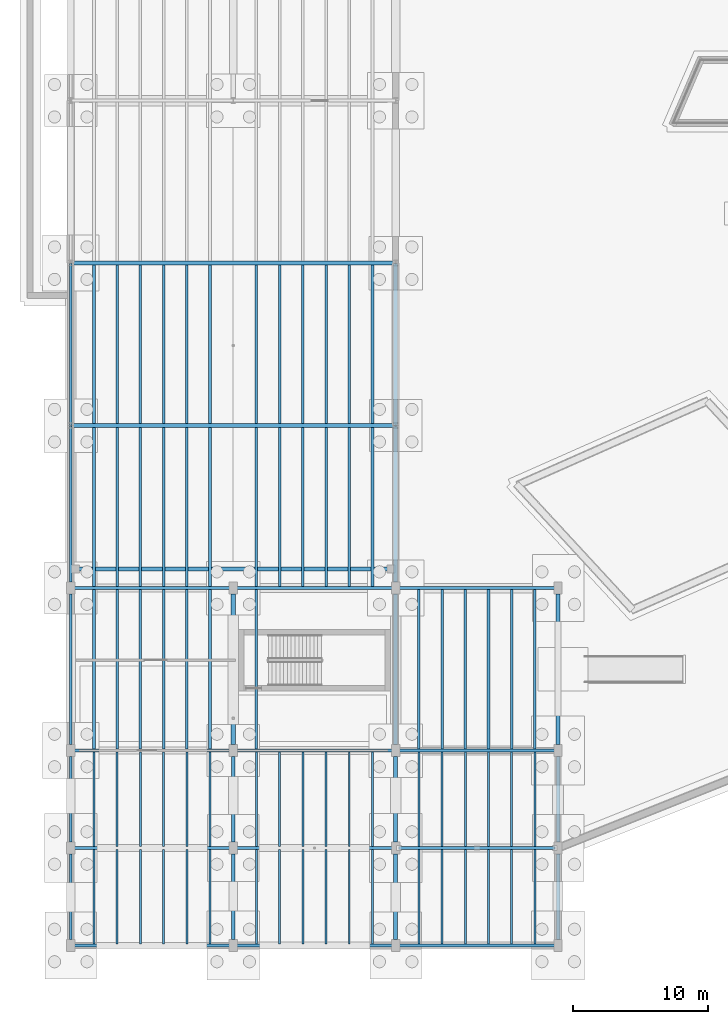
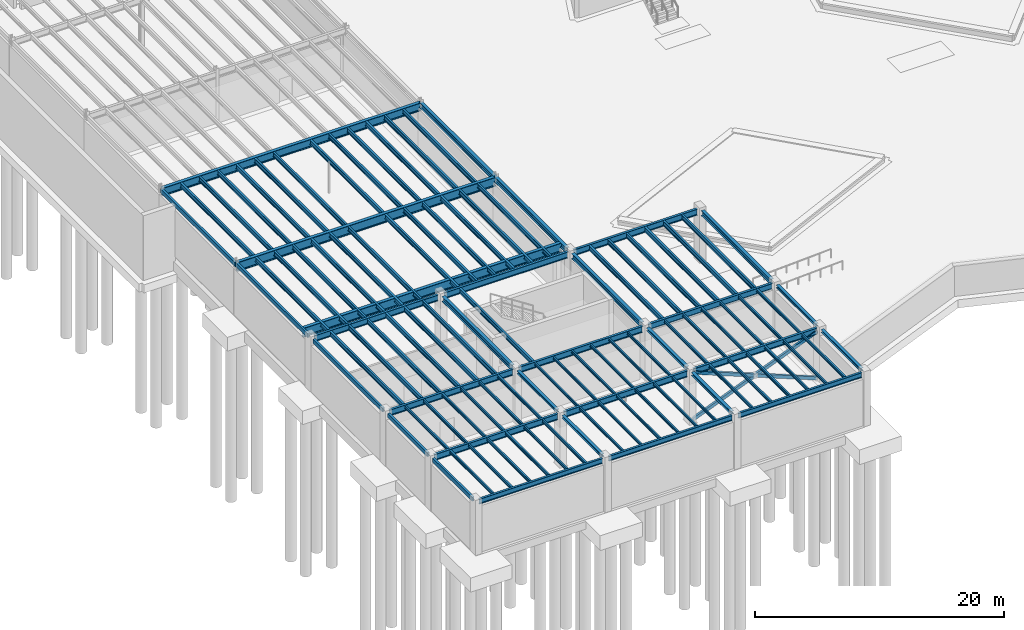
# One storey, part 21 of 67: 104 beams, 3 members.
"""IFC4 building model written with IfcOpenShell, lengths in metres."""

from ifc_helpers import new_model, si_unit, direction, frame, origin, origin_2d, place, context, subcontext, project, spatial, hollow_rectangle, i_section, extrude, material, material_profile, profile_set, type_object, element, save


model = new_model("IFC4")

# Units and contexts
model_context = context("Model", 3, precision=1e-05, world=origin(), true_north=direction((0.0, 1.0)))
body_context = subcontext(model_context, "Body", "Model", "MODEL_VIEW")
ifc_project = project(units=[si_unit("LENGTHUNIT", "METRE"), si_unit("AREAUNIT", "SQUARE_METRE"), si_unit("VOLUMEUNIT", "CUBIC_METRE"), si_unit("PLANEANGLEUNIT", "RADIAN"), si_unit("MASSUNIT", "GRAM", prefix="KILO")], contexts=[model_context])

# Site, building, storey
site_placement = place(None, origin())
site = spatial("IfcSite", under=ifc_project, at=site_placement, CompositionType="ELEMENT")
building_placement = place(site_placement, origin())
building = spatial("IfcBuilding", under=site, at=building_placement, Name="Zlatogorsky Bluff Art Gallery", CompositionType="ELEMENT")
storey_placement = place(building_placement, frame((0.0, 0.0, -5.39990234375)))
storey = spatial("IfcBuildingStorey", under=building, at=storey_placement, Name="B1", CompositionType="ELEMENT", Elevation=-5.39990234375)

# Beams
ifc_material = material(Name="Steel S355", Category="steel")
ifc_material_profile_1 = material_profile(ifc_material, i_section(OverallWidth=0.300048828125, OverallDepth=0.800048828125, WebThickness=0.017578125, FlangeThickness=0.032958984375, FilletRadius=0.030029296875, at=origin_2d()), Name="HEB 800")
ifc_profile_set_1 = profile_set([ifc_material_profile_1], Name="Steel S355")
beam_type_1 = type_object("IfcBeamType", Name="Beam BM-03 HEB 800", PredefinedType="BEAM", material=ifc_profile_set_1)
beam_1_placement = place(storey_placement, frame((0.014892578125, 50.39990234375, 4.719970703125), z_axis=(1.0, 0.0, 0.0), x_axis=(0.0, 1.0, 0.0)))
element("IfcBeam", 1, at=beam_1_placement, inside=storey, type_object=beam_type_1, Name="Auditorium long-span girder BM-03 B1 A-C/6", PredefinedType="BEAM", context=body_context, shape_type="SweptSolid", body=[
    extrude(i_section(OverallWidth=0.300048828125, OverallDepth=0.800048828125, WebThickness=0.017578125, FlangeThickness=0.032958984375, FilletRadius=0.030029296875, at=origin_2d()), origin(), (0.0, 0.0, 1.0), 23.97021484375),
])
ifc_material_profile_2 = material_profile(ifc_material, i_section(OverallWidth=0.300048828125, OverallDepth=0.89990234375, WebThickness=0.0185546875, FlangeThickness=0.034912109375, FilletRadius=0.030029296875, at=origin_2d()), Name="HEB 900")
ifc_profile_set_2 = profile_set([ifc_material_profile_2], Name="Steel S355")
beam_type_2 = type_object("IfcBeamType", Name="Beam BM-04 HEB 900", PredefinedType="BEAM", material=ifc_profile_set_2)
beam_2_placement = place(storey_placement, frame((0.0, 27.800048828125, 4.669921875), z_axis=(1.0, 0.0, 0.0), x_axis=(0.0, 1.0, 0.0)))
element("IfcBeam", 2, at=beam_2_placement, inside=storey, type_object=beam_type_2, Name="Auditorium raker south support girder", PredefinedType="BEAM", context=body_context, shape_type="SweptSolid", body=[
    extrude(i_section(OverallWidth=0.300048828125, OverallDepth=0.89990234375, WebThickness=0.0185546875, FlangeThickness=0.034912109375, FilletRadius=0.030029296875, at=origin_2d()), origin(), (0.0, 0.0, 1.0), 24.0),
])
beam_3_placement = place(storey_placement, frame((0.014892578125, 38.39990234375, 4.669921875), z_axis=(1.0, 0.0, 0.0), x_axis=(0.0, 1.0, 0.0)))
element("IfcBeam", 3, at=beam_3_placement, inside=storey, type_object=beam_type_2, Name="Auditorium long-span girder BM-04 B1 A-C/5", PredefinedType="BEAM", context=body_context, shape_type="SweptSolid", body=[
    extrude(i_section(OverallWidth=0.300048828125, OverallDepth=0.89990234375, WebThickness=0.0185546875, FlangeThickness=0.034912109375, FilletRadius=0.030029296875, at=origin_2d()), origin(), (0.0, 0.0, 1.0), 23.97021484375),
])
ifc_material_profile_3 = material_profile(ifc_material, i_section(OverallWidth=0.300048828125, OverallDepth=0.489990234375, WebThickness=0.011962890625, FlangeThickness=0.02294921875, FilletRadius=0.027099609375, at=origin_2d()), Name="HEA 500")
ifc_profile_set_3 = profile_set([ifc_material_profile_3], Name="Steel S355")
beam_type_3 = type_object("IfcBeamType", Name="Beam BM-07 HEA 500", PredefinedType="BEAM", material=ifc_profile_set_3)
for number, where, z_axis, x_axis, name in (
    (4, (12.0, 14.830078125, 4.875), (0.0, 1.0, 0.0), (-1.0, 0.0, 0.0), "Primary girder BM-07 B1 B/3-4"),
    (5, (24.0, 14.830078125, 4.875), (0.0, 1.0, 0.0), (-1.0, 0.0, 0.0), "Primary girder BM-07 B1 C/3-4"),
):
    element("IfcBeam", number, at=place(storey_placement, frame(where, z_axis=z_axis, x_axis=x_axis)), inside=storey, type_object=beam_type_3, Name=name, PredefinedType="BEAM", context=body_context, shape_type="SweptSolid", body=[
        extrude(i_section(OverallWidth=0.300048828125, OverallDepth=0.489990234375, WebThickness=0.011962890625, FlangeThickness=0.02294921875, FilletRadius=0.027099609375, at=origin_2d()), origin(), (0.0, 0.0, 1.0), 11.139892578125),
    ])
beam_4_placement = place(storey_placement, frame((24.0, 26.830078125, 4.875), z_axis=(0.0, 1.0, 0.0), x_axis=(-1.0, 0.0, 0.0)))
element("IfcBeam", 6, at=beam_4_placement, inside=storey, type_object=beam_type_3, Name="Primary girder BM-07 B1 C/4-5", PredefinedType="BEAM", context=body_context, shape_type="SweptSolid", body=[
    extrude(i_section(OverallWidth=0.300048828125, OverallDepth=0.489990234375, WebThickness=0.011962890625, FlangeThickness=0.02294921875, FilletRadius=0.027099609375, at=origin_2d()), origin(), (0.0, 0.0, 1.0), 11.554931640625),
])
beam_5_placement = place(storey_placement, frame((24.0, 38.4150390625, 4.875), z_axis=(0.0, 1.0, 0.0), x_axis=(-1.0, 0.0, 0.0)))
element("IfcBeam", 7, at=beam_5_placement, inside=storey, type_object=beam_type_3, Name="Primary girder BM-07 B1 C/5-6", PredefinedType="BEAM", context=body_context, shape_type="SweptSolid", body=[
    extrude(i_section(OverallWidth=0.300048828125, OverallDepth=0.489990234375, WebThickness=0.011962890625, FlangeThickness=0.02294921875, FilletRadius=0.027099609375, at=origin_2d()), origin(), (0.0, 0.0, 1.0), 11.969970703125),
])
beam_6_placement = place(storey_placement, frame((36.0, 14.830078125, 4.875), z_axis=(0.0, 1.0, 0.0), x_axis=(-1.0, 0.0, 0.0)))
element("IfcBeam", 8, at=beam_6_placement, inside=storey, type_object=beam_type_3, Name="Primary girder BM-07 B1 D/3-4", PredefinedType="BEAM", context=body_context, shape_type="SweptSolid", body=[
    extrude(i_section(OverallWidth=0.300048828125, OverallDepth=0.489990234375, WebThickness=0.011962890625, FlangeThickness=0.02294921875, FilletRadius=0.027099609375, at=origin_2d()), origin(), (0.0, 0.0, 1.0), 11.139892578125),
])
ifc_material_profile_4 = material_profile(ifc_material, i_section(OverallWidth=0.300048828125, OverallDepth=0.2900390625, WebThickness=0.008544921875, FlangeThickness=0.013916015625, FilletRadius=0.027099609375, at=origin_2d()), Name="HEA 300")
ifc_profile_set_4 = profile_set([ifc_material_profile_4], Name="Steel S355")
beam_type_4 = type_object("IfcBeamType", Name="Beam BM-11 HEA 300", PredefinedType="BEAM", material=ifc_profile_set_4)
for number, where, z_axis, x_axis, name in (
    (9, (24.0, 0.429931640625, 4.974853515625), (0.0, 1.0, 0.0), (-1.0, 0.0, 0.0), "Primary girder BM-11 B1 C/1-2"),
    (10, (24.0, 7.6298828125, 4.974853515625), (0.0, 1.0, 0.0), (-1.0, 0.0, 0.0), "Primary girder BM-11 B1 C/2-3"),
):
    element("IfcBeam", number, at=place(storey_placement, frame(where, z_axis=z_axis, x_axis=x_axis)), inside=storey, type_object=beam_type_4, Name=name, PredefinedType="BEAM", context=body_context, shape_type="SweptSolid", body=[
        extrude(i_section(OverallWidth=0.300048828125, OverallDepth=0.2900390625, WebThickness=0.008544921875, FlangeThickness=0.013916015625, FilletRadius=0.027099609375, at=origin_2d()), origin(), (0.0, 0.0, 1.0), 6.340087890625),
    ])
ifc_material_profile_5 = material_profile(ifc_material, i_section(OverallWidth=0.280029296875, OverallDepth=0.27001953125, WebThickness=0.008056640625, FlangeThickness=0.012939453125, FilletRadius=0.02392578125, at=origin_2d()), Name="HEA 280")
ifc_profile_set_5 = profile_set([ifc_material_profile_5], Name="Steel S355")
beam_type_5 = type_object("IfcBeamType", Name="Beam BM-12 HEA 280", PredefinedType="BEAM", material=ifc_profile_set_5)
for number, where, z_axis, x_axis, name in (
    (11, (12.0, 0.429931640625, 4.98486328125), (0.0, 1.0, 0.0), (-1.0, 0.0, 0.0), "Primary girder BM-12 B1 B/1-2"),
    (12, (12.0, 7.6298828125, 4.98486328125), (0.0, 1.0, 0.0), (-1.0, 0.0, 0.0), "Primary girder BM-12 B1 B/2-3"),
    (13, (36.0, 0.429931640625, 4.98486328125), (0.0, 1.0, 0.0), (-1.0, 0.0, 0.0), "Primary girder BM-12 B1 D/1-2"),
    (14, (36.0, 7.6298828125, 4.98486328125), (0.0, 1.0, 0.0), (-1.0, 0.0, 0.0), "Primary girder BM-12 B1 D/2-3"),
):
    element("IfcBeam", number, at=place(storey_placement, frame(where, z_axis=z_axis, x_axis=x_axis)), inside=storey, type_object=beam_type_5, Name=name, PredefinedType="BEAM", context=body_context, shape_type="SweptSolid", body=[
        extrude(i_section(OverallWidth=0.280029296875, OverallDepth=0.27001953125, WebThickness=0.008056640625, FlangeThickness=0.012939453125, FilletRadius=0.02392578125, at=origin_2d()), origin(), (0.0, 0.0, 1.0), 6.340087890625),
    ])
ifc_material_profile_6 = material_profile(ifc_material, i_section(OverallWidth=0.219970703125, OverallDepth=0.60009765625, WebThickness=0.011962890625, FlangeThickness=0.01904296875, FilletRadius=0.02392578125, at=origin_2d()), Name="IPE 600")
ifc_profile_set_6 = profile_set([ifc_material_profile_6], Name="Steel S355")
beam_type_6 = type_object("IfcBeamType", Name="Beam BM-13 IPE 600", PredefinedType="BEAM", material=ifc_profile_set_6)
for number, where, z_axis, x_axis, name in (
    (15, (0.280029296875, 7.199951171875, 4.81982421875), (1.0, 0.0, 0.0), (0.0, 1.0, 0.0), "Primary girder BM-13 B1 A-B/2"),
    (16, (0.280029296875, 14.39990234375, 4.81982421875), (1.0, 0.0, 0.0), (0.0, 1.0, 0.0), "Primary girder BM-13 B1 A-B/3"),
    (17, (0.280029296875, 26.39990234375, 4.81982421875), (1.0, 0.0, 0.0), (0.0, 1.0, 0.0), "Primary girder BM-13 B1 A-B/4"),
    (18, (12.280029296875, 7.199951171875, 4.81982421875), (1.0, 0.0, 0.0), (0.0, 1.0, 0.0), "Primary girder BM-13 B1 B-C/2"),
    (19, (12.280029296875, 14.39990234375, 4.81982421875), (1.0, 0.0, 0.0), (0.0, 1.0, 0.0), "Primary girder BM-13 B1 B-C/3"),
    (20, (12.280029296875, 26.39990234375, 4.81982421875), (1.0, 0.0, 0.0), (0.0, 1.0, 0.0), "Primary girder BM-13 B1 B-C/4"),
    (21, (24.280029296875, 7.199951171875, 4.81982421875), (1.0, 0.0, 0.0), (0.0, 1.0, 0.0), "Primary girder BM-13 B1 C-D/2"),
    (22, (24.280029296875, 14.39990234375, 4.81982421875), (1.0, 0.0, 0.0), (0.0, 1.0, 0.0), "Primary girder BM-13 B1 C-D/3"),
    (23, (24.280029296875, 26.39990234375, 4.81982421875), (1.0, 0.0, 0.0), (0.0, 1.0, 0.0), "Primary girder BM-13 B1 C-D/4"),
):
    element("IfcBeam", number, at=place(storey_placement, frame(where, z_axis=z_axis, x_axis=x_axis)), inside=storey, type_object=beam_type_6, Name=name, PredefinedType="BEAM", context=body_context, shape_type="SweptSolid", body=[
        extrude(i_section(OverallWidth=0.219970703125, OverallDepth=0.60009765625, WebThickness=0.011962890625, FlangeThickness=0.01904296875, FilletRadius=0.02392578125, at=origin_2d()), origin(), (0.0, 0.0, 1.0), 11.43994140625),
    ])
ifc_material_profile_7 = material_profile(ifc_material, i_section(OverallWidth=0.135009765625, OverallDepth=0.27001953125, WebThickness=0.006591796875, FlangeThickness=0.01025390625, FilletRadius=0.014892578125, at=origin_2d()), Name="IPE 270")
ifc_profile_set_7 = profile_set([ifc_material_profile_7], Name="Steel S355")
beam_type_7 = type_object("IfcBeamType", Name="Beam JS-01 IPE 270", PredefinedType="JOIST", material=ifc_profile_set_7)
for number, where, z_axis, x_axis, name in (
    (24, (13.71435546875, 0.10009765625, 4.98486328125), (0.0, 1.0, 0.0), (-1.0, 0.0, 0.0), "Composite floor joist JS-01 B1 01.00.1"),
    (25, (15.428466796875, 0.10009765625, 4.98486328125), (0.0, 1.0, 0.0), (-1.0, 0.0, 0.0), "Composite floor joist JS-01 B1 01.00.2"),
    (26, (17.142822265625, 0.10009765625, 4.98486328125), (0.0, 1.0, 0.0), (-1.0, 0.0, 0.0), "Composite floor joist JS-01 B1 01.00.3"),
    (27, (18.857177734375, 0.10009765625, 4.98486328125), (0.0, 1.0, 0.0), (-1.0, 0.0, 0.0), "Composite floor joist JS-01 B1 01.00.4"),
    (28, (20.571533203125, 0.10009765625, 4.98486328125), (0.0, 1.0, 0.0), (-1.0, 0.0, 0.0), "Composite floor joist JS-01 B1 01.00.5"),
    (29, (22.28564453125, 0.10009765625, 4.98486328125), (0.0, 1.0, 0.0), (-1.0, 0.0, 0.0), "Composite floor joist JS-01 B1 01.00.6"),
):
    element("IfcBeam", number, at=place(storey_placement, frame(where, z_axis=z_axis, x_axis=x_axis)), inside=storey, type_object=beam_type_7, Name=name, PredefinedType="JOIST", context=body_context, shape_type="SweptSolid", body=[
        extrude(i_section(OverallWidth=0.135009765625, OverallDepth=0.27001953125, WebThickness=0.006591796875, FlangeThickness=0.01025390625, FilletRadius=0.014892578125, at=origin_2d()), origin(), (0.0, 0.0, 1.0), 6.989990234375),
    ])
for number, where, z_axis, x_axis, name in (
    (30, (13.71435546875, 7.31005859375, 4.98486328125), (0.0, 1.0, 0.0), (-1.0, 0.0, 0.0), "Composite floor joist JS-01 B1 01.01.1"),
    (31, (15.428466796875, 7.31005859375, 4.98486328125), (0.0, 1.0, 0.0), (-1.0, 0.0, 0.0), "Composite floor joist JS-01 B1 01.01.2"),
    (32, (17.142822265625, 7.31005859375, 4.98486328125), (0.0, 1.0, 0.0), (-1.0, 0.0, 0.0), "Composite floor joist JS-01 B1 01.01.3"),
    (33, (18.857177734375, 7.31005859375, 4.98486328125), (0.0, 1.0, 0.0), (-1.0, 0.0, 0.0), "Composite floor joist JS-01 B1 01.01.4"),
    (34, (20.571533203125, 7.31005859375, 4.98486328125), (0.0, 1.0, 0.0), (-1.0, 0.0, 0.0), "Composite floor joist JS-01 B1 01.01.5"),
    (35, (22.28564453125, 7.31005859375, 4.98486328125), (0.0, 1.0, 0.0), (-1.0, 0.0, 0.0), "Composite floor joist JS-01 B1 01.01.6"),
):
    element("IfcBeam", number, at=place(storey_placement, frame(where, z_axis=z_axis, x_axis=x_axis)), inside=storey, type_object=beam_type_7, Name=name, PredefinedType="JOIST", context=body_context, shape_type="SweptSolid", body=[
        extrude(i_section(OverallWidth=0.135009765625, OverallDepth=0.27001953125, WebThickness=0.006591796875, FlangeThickness=0.01025390625, FilletRadius=0.014892578125, at=origin_2d()), origin(), (0.0, 0.0, 1.0), 6.97998046875),
    ])
ifc_material_profile_8 = material_profile(ifc_material, i_section(OverallWidth=0.14990234375, OverallDepth=0.300048828125, WebThickness=0.007080078125, FlangeThickness=0.0107421875, FilletRadius=0.014892578125, at=origin_2d()), Name="IPE 300")
ifc_profile_set_8 = profile_set([ifc_material_profile_8], Name="Steel S355")
beam_type_8 = type_object("IfcBeamType", Name="Beam JS-02 IPE 300", PredefinedType="JOIST", material=ifc_profile_set_8)
for number, where, z_axis, x_axis, name in (
    (36, (1.71435546875, 0.10009765625, 4.969970703125), (0.0, 1.0, 0.0), (-1.0, 0.0, 0.0), "Composite floor joist JS-02 B1 00.00.1"),
    (37, (3.428466796875, 0.10009765625, 4.969970703125), (0.0, 1.0, 0.0), (-1.0, 0.0, 0.0), "Composite floor joist JS-02 B1 00.00.2"),
    (38, (5.142822265625, 0.10009765625, 4.969970703125), (0.0, 1.0, 0.0), (-1.0, 0.0, 0.0), "Composite floor joist JS-02 B1 00.00.3"),
    (39, (6.857177734375, 0.10009765625, 4.969970703125), (0.0, 1.0, 0.0), (-1.0, 0.0, 0.0), "Composite floor joist JS-02 B1 00.00.4"),
    (40, (8.571533203125, 0.10009765625, 4.969970703125), (0.0, 1.0, 0.0), (-1.0, 0.0, 0.0), "Composite floor joist JS-02 B1 00.00.5"),
    (41, (10.28564453125, 0.10009765625, 4.969970703125), (0.0, 1.0, 0.0), (-1.0, 0.0, 0.0), "Composite floor joist JS-02 B1 00.00.6"),
):
    element("IfcBeam", number, at=place(storey_placement, frame(where, z_axis=z_axis, x_axis=x_axis)), inside=storey, type_object=beam_type_8, Name=name, PredefinedType="JOIST", context=body_context, shape_type="SweptSolid", body=[
        extrude(i_section(OverallWidth=0.14990234375, OverallDepth=0.300048828125, WebThickness=0.007080078125, FlangeThickness=0.0107421875, FilletRadius=0.014892578125, at=origin_2d()), origin(), (0.0, 0.0, 1.0), 6.989990234375),
    ])
for number, where, z_axis, x_axis, name in (
    (42, (1.71435546875, 7.31005859375, 4.969970703125), (0.0, 1.0, 0.0), (-1.0, 0.0, 0.0), "Composite floor joist JS-02 B1 00.01.1"),
    (43, (3.428466796875, 7.31005859375, 4.969970703125), (0.0, 1.0, 0.0), (-1.0, 0.0, 0.0), "Composite floor joist JS-02 B1 00.01.2"),
    (44, (5.142822265625, 7.31005859375, 4.969970703125), (0.0, 1.0, 0.0), (-1.0, 0.0, 0.0), "Composite floor joist JS-02 B1 00.01.3"),
    (45, (6.857177734375, 7.31005859375, 4.969970703125), (0.0, 1.0, 0.0), (-1.0, 0.0, 0.0), "Composite floor joist JS-02 B1 00.01.4"),
    (46, (8.571533203125, 7.31005859375, 4.969970703125), (0.0, 1.0, 0.0), (-1.0, 0.0, 0.0), "Composite floor joist JS-02 B1 00.01.5"),
    (47, (10.28564453125, 7.31005859375, 4.969970703125), (0.0, 1.0, 0.0), (-1.0, 0.0, 0.0), "Composite floor joist JS-02 B1 00.01.6"),
):
    element("IfcBeam", number, at=place(storey_placement, frame(where, z_axis=z_axis, x_axis=x_axis)), inside=storey, type_object=beam_type_8, Name=name, PredefinedType="JOIST", context=body_context, shape_type="SweptSolid", body=[
        extrude(i_section(OverallWidth=0.14990234375, OverallDepth=0.300048828125, WebThickness=0.007080078125, FlangeThickness=0.0107421875, FilletRadius=0.014892578125, at=origin_2d()), origin(), (0.0, 0.0, 1.0), 6.97998046875),
    ])
for number, where, z_axis, x_axis, name in (
    (48, (25.71435546875, 0.10009765625, 4.969970703125), (0.0, 1.0, 0.0), (-1.0, 0.0, 0.0), "Composite floor joist JS-02 B1 02.00.1"),
    (49, (27.428466796875, 0.10009765625, 4.969970703125), (0.0, 1.0, 0.0), (-1.0, 0.0, 0.0), "Composite floor joist JS-02 B1 02.00.2"),
    (50, (29.142822265625, 0.10009765625, 4.969970703125), (0.0, 1.0, 0.0), (-1.0, 0.0, 0.0), "Composite floor joist JS-02 B1 02.00.3"),
    (51, (30.857177734375, 0.10009765625, 4.969970703125), (0.0, 1.0, 0.0), (-1.0, 0.0, 0.0), "Composite floor joist JS-02 B1 02.00.4"),
    (52, (32.571533203125, 0.10009765625, 4.969970703125), (0.0, 1.0, 0.0), (-1.0, 0.0, 0.0), "Composite floor joist JS-02 B1 02.00.5"),
    (53, (34.28564453125, 0.10009765625, 4.969970703125), (0.0, 1.0, 0.0), (-1.0, 0.0, 0.0), "Composite floor joist JS-02 B1 02.00.6"),
):
    element("IfcBeam", number, at=place(storey_placement, frame(where, z_axis=z_axis, x_axis=x_axis)), inside=storey, type_object=beam_type_8, Name=name, PredefinedType="JOIST", context=body_context, shape_type="SweptSolid", body=[
        extrude(i_section(OverallWidth=0.14990234375, OverallDepth=0.300048828125, WebThickness=0.007080078125, FlangeThickness=0.0107421875, FilletRadius=0.014892578125, at=origin_2d()), origin(), (0.0, 0.0, 1.0), 6.989990234375),
    ])
for number, where, z_axis, x_axis, name in (
    (54, (25.71435546875, 7.31005859375, 4.969970703125), (0.0, 1.0, 0.0), (-1.0, 0.0, 0.0), "Composite floor joist JS-02 B1 02.01.1"),
    (55, (27.428466796875, 7.31005859375, 4.969970703125), (0.0, 1.0, 0.0), (-1.0, 0.0, 0.0), "Composite floor joist JS-02 B1 02.01.2"),
    (56, (29.142822265625, 7.31005859375, 4.969970703125), (0.0, 1.0, 0.0), (-1.0, 0.0, 0.0), "Composite floor joist JS-02 B1 02.01.3"),
    (57, (30.857177734375, 7.31005859375, 4.969970703125), (0.0, 1.0, 0.0), (-1.0, 0.0, 0.0), "Composite floor joist JS-02 B1 02.01.4"),
    (58, (32.571533203125, 7.31005859375, 4.969970703125), (0.0, 1.0, 0.0), (-1.0, 0.0, 0.0), "Composite floor joist JS-02 B1 02.01.5"),
    (59, (34.28564453125, 7.31005859375, 4.969970703125), (0.0, 1.0, 0.0), (-1.0, 0.0, 0.0), "Composite floor joist JS-02 B1 02.01.6"),
):
    element("IfcBeam", number, at=place(storey_placement, frame(where, z_axis=z_axis, x_axis=x_axis)), inside=storey, type_object=beam_type_8, Name=name, PredefinedType="JOIST", context=body_context, shape_type="SweptSolid", body=[
        extrude(i_section(OverallWidth=0.14990234375, OverallDepth=0.300048828125, WebThickness=0.007080078125, FlangeThickness=0.0107421875, FilletRadius=0.014892578125, at=origin_2d()), origin(), (0.0, 0.0, 1.0), 6.97998046875),
    ])
ifc_material_profile_9 = material_profile(ifc_material, i_section(OverallWidth=0.18994140625, OverallDepth=0.449951171875, WebThickness=0.009521484375, FlangeThickness=0.0146484375, FilletRadius=0.02099609375, at=origin_2d()), Name="IPE 450")
ifc_profile_set_9 = profile_set([ifc_material_profile_9], Name="Steel S355")
beam_type_9 = type_object("IfcBeamType", Name="Beam JS-06 IPE 450", PredefinedType="JOIST", material=ifc_profile_set_9)
for number, where, z_axis, x_axis, name in (
    (60, (1.71435546875, 14.510009765625, 4.89501953125), (0.0, 1.0, 0.0), (-1.0, 0.0, 0.0), "Composite floor joist JS-06 B1 00.02.1"),
    (61, (3.428466796875, 14.510009765625, 4.89501953125), (0.0, 1.0, 0.0), (-1.0, 0.0, 0.0), "Composite floor joist JS-06 B1 00.02.2"),
    (62, (5.142822265625, 14.510009765625, 4.89501953125), (0.0, 1.0, 0.0), (-1.0, 0.0, 0.0), "Composite floor joist JS-06 B1 00.02.3"),
    (63, (6.857177734375, 14.510009765625, 4.89501953125), (0.0, 1.0, 0.0), (-1.0, 0.0, 0.0), "Composite floor joist JS-06 B1 00.02.4"),
    (64, (8.571533203125, 14.510009765625, 4.89501953125), (0.0, 1.0, 0.0), (-1.0, 0.0, 0.0), "Composite floor joist JS-06 B1 00.02.5"),
    (65, (10.28564453125, 14.510009765625, 4.89501953125), (0.0, 1.0, 0.0), (-1.0, 0.0, 0.0), "Composite floor joist JS-06 B1 00.02.6"),
):
    element("IfcBeam", number, at=place(storey_placement, frame(where, z_axis=z_axis, x_axis=x_axis)), inside=storey, type_object=beam_type_9, Name=name, PredefinedType="JOIST", context=body_context, shape_type="SweptSolid", body=[
        extrude(i_section(OverallWidth=0.18994140625, OverallDepth=0.449951171875, WebThickness=0.009521484375, FlangeThickness=0.0146484375, FilletRadius=0.02099609375, at=origin_2d()), origin(), (0.0, 0.0, 1.0), 11.780029296875),
    ])
for number, where, z_axis, x_axis, name in (
    (66, (1.71435546875, 26.510009765625, 4.89501953125), (0.0, 1.0, 0.0), (-1.0, 0.0, 0.0), "Composite floor joist JS-06 B1 00.03.1"),
    (67, (3.428466796875, 26.510009765625, 4.89501953125), (0.0, 1.0, 0.0), (-1.0, 0.0, 0.0), "Composite floor joist JS-06 B1 00.03.2"),
    (68, (5.142822265625, 26.510009765625, 4.89501953125), (0.0, 1.0, 0.0), (-1.0, 0.0, 0.0), "Composite floor joist JS-06 B1 00.03.3"),
    (69, (6.857177734375, 26.510009765625, 4.89501953125), (0.0, 1.0, 0.0), (-1.0, 0.0, 0.0), "Composite floor joist JS-06 B1 00.03.4"),
    (70, (8.571533203125, 26.510009765625, 4.89501953125), (0.0, 1.0, 0.0), (-1.0, 0.0, 0.0), "Composite floor joist JS-06 B1 00.03.5"),
    (71, (10.28564453125, 26.510009765625, 4.89501953125), (0.0, 1.0, 0.0), (-1.0, 0.0, 0.0), "Composite floor joist JS-06 B1 00.03.6"),
):
    element("IfcBeam", number, at=place(storey_placement, frame(where, z_axis=z_axis, x_axis=x_axis)), inside=storey, type_object=beam_type_9, Name=name, PredefinedType="JOIST", context=body_context, shape_type="SweptSolid", body=[
        extrude(i_section(OverallWidth=0.18994140625, OverallDepth=0.449951171875, WebThickness=0.009521484375, FlangeThickness=0.0146484375, FilletRadius=0.02099609375, at=origin_2d()), origin(), (0.0, 0.0, 1.0), 11.739990234375),
    ])
for number, where, z_axis, x_axis, name in (
    (72, (1.71435546875, 38.550048828125, 4.89501953125), (0.0, 1.0, 0.0), (-1.0, 0.0, 0.0), "Composite floor joist JS-06 B1 00.04.1"),
    (73, (3.428466796875, 38.550048828125, 4.89501953125), (0.0, 1.0, 0.0), (-1.0, 0.0, 0.0), "Composite floor joist JS-06 B1 00.04.2"),
    (74, (5.142822265625, 38.550048828125, 4.89501953125), (0.0, 1.0, 0.0), (-1.0, 0.0, 0.0), "Composite floor joist JS-06 B1 00.04.3"),
    (75, (6.857177734375, 38.550048828125, 4.89501953125), (0.0, 1.0, 0.0), (-1.0, 0.0, 0.0), "Composite floor joist JS-06 B1 00.04.4"),
    (76, (8.571533203125, 38.550048828125, 4.89501953125), (0.0, 1.0, 0.0), (-1.0, 0.0, 0.0), "Composite floor joist JS-06 B1 00.04.5"),
    (77, (10.28564453125, 38.550048828125, 4.89501953125), (0.0, 1.0, 0.0), (-1.0, 0.0, 0.0), "Composite floor joist JS-06 B1 00.04.6"),
):
    element("IfcBeam", number, at=place(storey_placement, frame(where, z_axis=z_axis, x_axis=x_axis)), inside=storey, type_object=beam_type_9, Name=name, PredefinedType="JOIST", context=body_context, shape_type="SweptSolid", body=[
        extrude(i_section(OverallWidth=0.18994140625, OverallDepth=0.449951171875, WebThickness=0.009521484375, FlangeThickness=0.0146484375, FilletRadius=0.02099609375, at=origin_2d()), origin(), (0.0, 0.0, 1.0), 11.699951171875),
    ])
beam_7_placement = place(storey_placement, frame((13.71435546875, 14.510009765625, 4.89501953125), z_axis=(0.0, 1.0, 0.0), x_axis=(-1.0, 0.0, 0.0)))
element("IfcBeam", 78, at=beam_7_placement, inside=storey, type_object=beam_type_9, Name="Composite floor joist JS-06 B1 01.02.1", PredefinedType="JOIST", context=body_context, shape_type="SweptSolid", body=[
    extrude(i_section(OverallWidth=0.18994140625, OverallDepth=0.449951171875, WebThickness=0.009521484375, FlangeThickness=0.0146484375, FilletRadius=0.02099609375, at=origin_2d()), origin(), (0.0, 0.0, 1.0), 11.780029296875),
])
for number, where, z_axis, x_axis, name in (
    (79, (13.71435546875, 26.510009765625, 4.89501953125), (0.0, 1.0, 0.0), (-1.0, 0.0, 0.0), "Composite floor joist JS-06 B1 01.03.1"),
    (80, (15.428466796875, 26.510009765625, 4.89501953125), (0.0, 1.0, 0.0), (-1.0, 0.0, 0.0), "Composite floor joist JS-06 B1 01.03.2"),
    (81, (17.142822265625, 26.510009765625, 4.89501953125), (0.0, 1.0, 0.0), (-1.0, 0.0, 0.0), "Composite floor joist JS-06 B1 01.03.3"),
    (82, (18.857177734375, 26.510009765625, 4.89501953125), (0.0, 1.0, 0.0), (-1.0, 0.0, 0.0), "Composite floor joist JS-06 B1 01.03.4"),
    (83, (20.571533203125, 26.510009765625, 4.89501953125), (0.0, 1.0, 0.0), (-1.0, 0.0, 0.0), "Composite floor joist JS-06 B1 01.03.5"),
    (84, (22.28564453125, 26.510009765625, 4.89501953125), (0.0, 1.0, 0.0), (-1.0, 0.0, 0.0), "Composite floor joist JS-06 B1 01.03.6"),
):
    element("IfcBeam", number, at=place(storey_placement, frame(where, z_axis=z_axis, x_axis=x_axis)), inside=storey, type_object=beam_type_9, Name=name, PredefinedType="JOIST", context=body_context, shape_type="SweptSolid", body=[
        extrude(i_section(OverallWidth=0.18994140625, OverallDepth=0.449951171875, WebThickness=0.009521484375, FlangeThickness=0.0146484375, FilletRadius=0.02099609375, at=origin_2d()), origin(), (0.0, 0.0, 1.0), 11.739990234375),
    ])
for number, where, z_axis, x_axis, name in (
    (85, (13.71435546875, 38.550048828125, 4.89501953125), (0.0, 1.0, 0.0), (-1.0, 0.0, 0.0), "Composite floor joist JS-06 B1 01.04.1"),
    (86, (15.428466796875, 38.550048828125, 4.89501953125), (0.0, 1.0, 0.0), (-1.0, 0.0, 0.0), "Composite floor joist JS-06 B1 01.04.2"),
    (87, (17.142822265625, 38.550048828125, 4.89501953125), (0.0, 1.0, 0.0), (-1.0, 0.0, 0.0), "Composite floor joist JS-06 B1 01.04.3"),
    (88, (18.857177734375, 38.550048828125, 4.89501953125), (0.0, 1.0, 0.0), (-1.0, 0.0, 0.0), "Composite floor joist JS-06 B1 01.04.4"),
    (89, (20.571533203125, 38.550048828125, 4.89501953125), (0.0, 1.0, 0.0), (-1.0, 0.0, 0.0), "Composite floor joist JS-06 B1 01.04.5"),
    (90, (22.28564453125, 38.550048828125, 4.89501953125), (0.0, 1.0, 0.0), (-1.0, 0.0, 0.0), "Composite floor joist JS-06 B1 01.04.6"),
):
    element("IfcBeam", number, at=place(storey_placement, frame(where, z_axis=z_axis, x_axis=x_axis)), inside=storey, type_object=beam_type_9, Name=name, PredefinedType="JOIST", context=body_context, shape_type="SweptSolid", body=[
        extrude(i_section(OverallWidth=0.18994140625, OverallDepth=0.449951171875, WebThickness=0.009521484375, FlangeThickness=0.0146484375, FilletRadius=0.02099609375, at=origin_2d()), origin(), (0.0, 0.0, 1.0), 11.699951171875),
    ])
for number, where, z_axis, x_axis, name in (
    (91, (25.71435546875, 14.510009765625, 4.89501953125), (0.0, 1.0, 0.0), (-1.0, 0.0, 0.0), "Composite floor joist JS-06 B1 02.02.1"),
    (92, (27.428466796875, 14.510009765625, 4.89501953125), (0.0, 1.0, 0.0), (-1.0, 0.0, 0.0), "Composite floor joist JS-06 B1 02.02.2"),
    (93, (29.142822265625, 14.510009765625, 4.89501953125), (0.0, 1.0, 0.0), (-1.0, 0.0, 0.0), "Composite floor joist JS-06 B1 02.02.3"),
    (94, (30.857177734375, 14.510009765625, 4.89501953125), (0.0, 1.0, 0.0), (-1.0, 0.0, 0.0), "Composite floor joist JS-06 B1 02.02.4"),
    (95, (32.571533203125, 14.510009765625, 4.89501953125), (0.0, 1.0, 0.0), (-1.0, 0.0, 0.0), "Composite floor joist JS-06 B1 02.02.5"),
    (96, (34.28564453125, 14.510009765625, 4.89501953125), (0.0, 1.0, 0.0), (-1.0, 0.0, 0.0), "Composite floor joist JS-06 B1 02.02.6"),
):
    element("IfcBeam", number, at=place(storey_placement, frame(where, z_axis=z_axis, x_axis=x_axis)), inside=storey, type_object=beam_type_9, Name=name, PredefinedType="JOIST", context=body_context, shape_type="SweptSolid", body=[
        extrude(i_section(OverallWidth=0.18994140625, OverallDepth=0.449951171875, WebThickness=0.009521484375, FlangeThickness=0.0146484375, FilletRadius=0.02099609375, at=origin_2d()), origin(), (0.0, 0.0, 1.0), 11.780029296875),
    ])
ifc_material_profile_10 = material_profile(ifc_material, i_section(OverallWidth=0.199951171875, OverallDepth=0.5, WebThickness=0.01025390625, FlangeThickness=0.01611328125, FilletRadius=0.02099609375, at=origin_2d()), Name="IPE 500")
ifc_profile_set_10 = profile_set([ifc_material_profile_10], Name="Steel S355")
beam_type_10 = type_object("IfcBeamType", Name="Beam SP-01 IPE 500", PredefinedType="SPANDREL", material=ifc_profile_set_10)
for number, where, z_axis, x_axis, name in (
    (97, (0.280029296875, 0.0, 4.869873046875), (1.0, 0.0, 0.0), (0.0, 1.0, 0.0), "Primary girder SP-01 B1 A-B/1"),
    (98, (12.280029296875, 0.0, 4.869873046875), (1.0, 0.0, 0.0), (0.0, 1.0, 0.0), "Primary girder SP-01 B1 B-C/1"),
    (99, (24.280029296875, 0.0, 4.869873046875), (1.0, 0.0, 0.0), (0.0, 1.0, 0.0), "Primary girder SP-01 B1 C-D/1"),
):
    element("IfcBeam", number, at=place(storey_placement, frame(where, z_axis=z_axis, x_axis=x_axis)), inside=storey, type_object=beam_type_10, Name=name, PredefinedType="SPANDREL", context=body_context, shape_type="SweptSolid", body=[
        extrude(i_section(OverallWidth=0.199951171875, OverallDepth=0.5, WebThickness=0.01025390625, FlangeThickness=0.01611328125, FilletRadius=0.02099609375, at=origin_2d()), origin(), (0.0, 0.0, 1.0), 11.43994140625),
    ])
ifc_material_profile_11 = material_profile(ifc_material, hollow_rectangle(XDim=0.199951171875, YDim=0.39990234375, WallThickness=0.01611328125, at=origin_2d()), Name="RHS 400x200x16")
ifc_profile_set_11 = profile_set([ifc_material_profile_11], Name="Steel S355")
beam_type_11 = type_object("IfcBeamType", Name="Beam SP-02 RHS 400x200x16", PredefinedType="SPANDREL", material=ifc_profile_set_11)
for number, where, z_axis, x_axis, name in (
    (100, (0.0, 0.429931640625, 4.919921875), (0.0, 1.0, 0.0), (-1.0, 0.0, 0.0), "Primary girder SP-02 B1 A/1-2"),
    (101, (0.0, 7.6298828125, 4.919921875), (0.0, 1.0, 0.0), (-1.0, 0.0, 0.0), "Primary girder SP-02 B1 A/2-3"),
):
    element("IfcBeam", number, at=place(storey_placement, frame(where, z_axis=z_axis, x_axis=x_axis)), inside=storey, type_object=beam_type_11, Name=name, PredefinedType="SPANDREL", context=body_context, shape_type="SweptSolid", body=[
        extrude(hollow_rectangle(XDim=0.199951171875, YDim=0.39990234375, WallThickness=0.01611328125, at=origin_2d()), origin(), (0.0, 0.0, 1.0), 6.340087890625),
    ])
beam_8_placement = place(storey_placement, frame((0.0, 14.830078125, 4.919921875), z_axis=(0.0, 1.0, 0.0), x_axis=(-1.0, 0.0, 0.0)))
element("IfcBeam", 102, at=beam_8_placement, inside=storey, type_object=beam_type_11, Name="Primary girder SP-02 B1 A/3-4", PredefinedType="SPANDREL", context=body_context, shape_type="SweptSolid", body=[
    extrude(hollow_rectangle(XDim=0.199951171875, YDim=0.39990234375, WallThickness=0.01611328125, at=origin_2d()), origin(), (0.0, 0.0, 1.0), 11.139892578125),
])
beam_9_placement = place(storey_placement, frame((0.0, 26.830078125, 4.919921875), z_axis=(0.0, 1.0, 0.0), x_axis=(-1.0, 0.0, 0.0)))
element("IfcBeam", 103, at=beam_9_placement, inside=storey, type_object=beam_type_11, Name="Primary girder SP-02 B1 A/4-5", PredefinedType="SPANDREL", context=body_context, shape_type="SweptSolid", body=[
    extrude(hollow_rectangle(XDim=0.199951171875, YDim=0.39990234375, WallThickness=0.01611328125, at=origin_2d()), origin(), (0.0, 0.0, 1.0), 11.554931640625),
])
beam_10_placement = place(storey_placement, frame((0.0, 38.4150390625, 4.83984375), z_axis=(0.0, 1.0, 0.0), x_axis=(-1.0, 0.0, 0.0)))
element("IfcBeam", 104, at=beam_10_placement, inside=storey, type_object=beam_type_11, Name="Primary girder SP-02 B1 A/5-6", PredefinedType="SPANDREL", context=body_context, shape_type="SweptSolid", body=[
    extrude(hollow_rectangle(XDim=0.199951171875, YDim=0.39990234375, WallThickness=0.01611328125, at=origin_2d()), origin(), (0.0, 0.0, 1.0), 11.969970703125),
])

# Members
ifc_material_profile_12 = material_profile(ifc_material, hollow_rectangle(XDim=0.199951171875, YDim=0.300048828125, WallThickness=0.012451171875, at=origin_2d()), Name="RHS 300x200x12.5")
ifc_profile_set_12 = profile_set([ifc_material_profile_12], Name="Steel S355")
member_type = type_object("IfcMemberType", Name="Member BR-02 RHS 300x200x12.5", PredefinedType="BRACE", material=ifc_profile_set_12)
member_placement = place(storey_placement, frame((24.25, 7.199951171875, 0.14990234375), z_axis=(0.928473972081, 0.0, 0.371397473292), x_axis=(0.0, 1.0, 0.0)))
element("IfcMember", 105, at=member_placement, inside=storey, type_object=member_type, Name="Continuous X-brace diagonal B1.5A", PredefinedType="BRACE", context=body_context, shape_type="SweptSolid", body=[
    extrude(hollow_rectangle(XDim=0.199951171875, YDim=0.300048828125, WallThickness=0.012451171875, at=origin_2d()), origin(), (0.0, 0.0, 1.0), 12.385986328125),
])
for number, where, z_axis, x_axis, name in (
    (106, (24.25, 7.199951171875, 4.75), (0.928476690885, 0.0, -0.371390676354), (0.0, 1.0, 0.0), "Split X-brace diagonal lower B1.5B1"),
    (107, (30.1298828125, 7.199951171875, 2.39794921875), (0.928476690885, 0.0, -0.371390676354), (0.0, 1.0, 0.0), "Split X-brace diagonal upper B1.5B2"),
):
    element("IfcMember", number, at=place(storey_placement, frame(where, z_axis=z_axis, x_axis=x_axis)), inside=storey, type_object=member_type, Name=name, PredefinedType="BRACE", context=body_context, shape_type="SweptSolid", body=[
        extrude(hollow_rectangle(XDim=0.199951171875, YDim=0.300048828125, WallThickness=0.012451171875, at=origin_2d()), origin(), (0.0, 0.0, 1.0), 6.052978515625),
    ])

save(model, "model.ifc")
